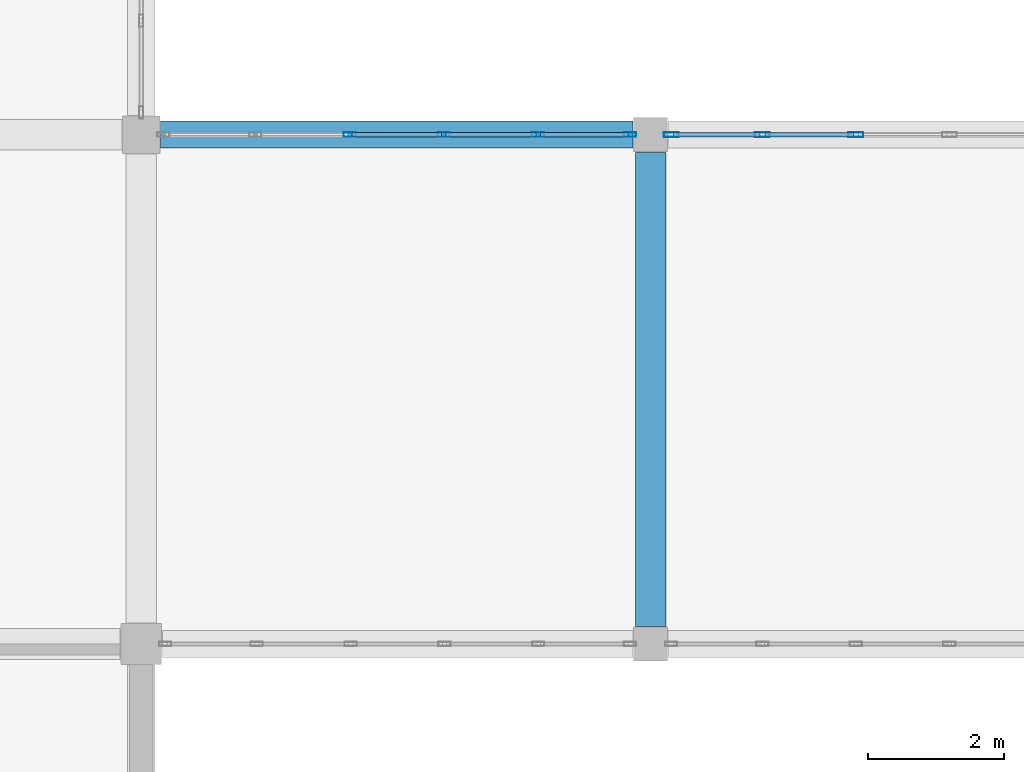
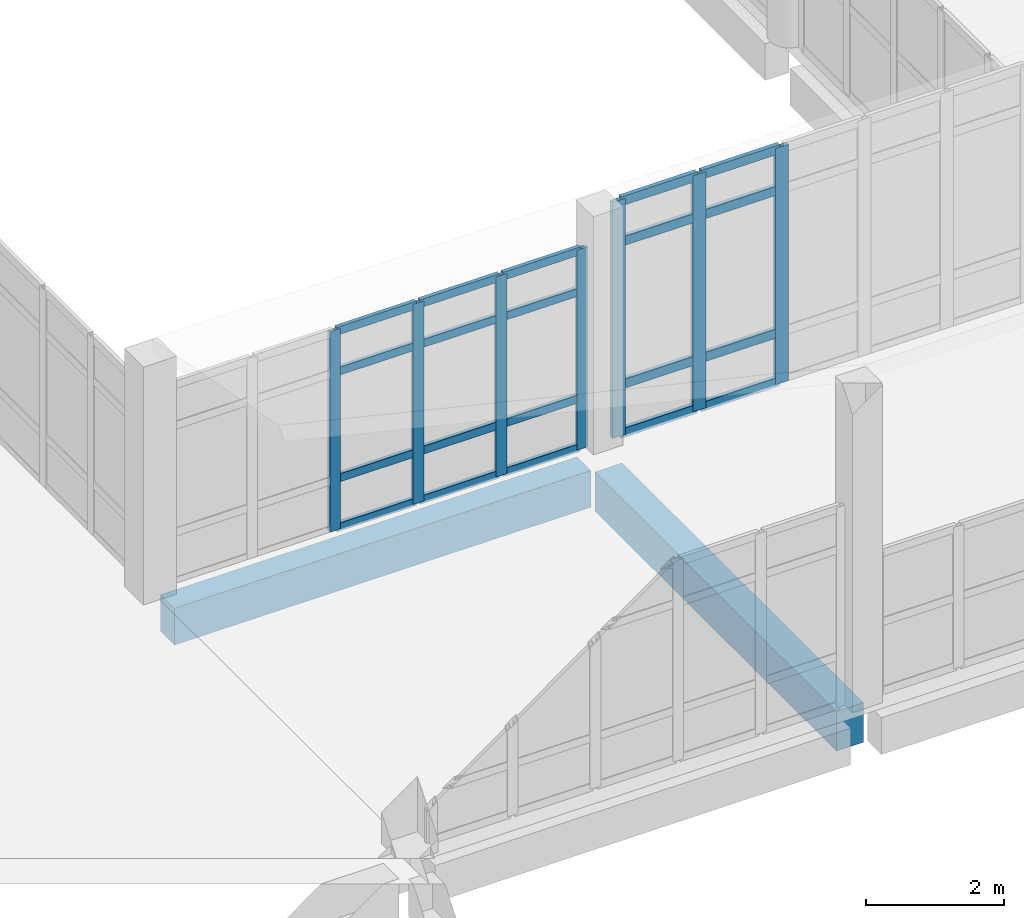
# One storey, part 50 of 164: 27 members, 2 beams, 2 elements without a shape of their own.
"""IFC4 building model written with IfcOpenShell, lengths in metres."""

from ifc_helpers import new_model, si_unit, direction, frame, origin, origin_2d, place, context, subcontext, project, spatial, rectangle, hollow_rectangle, extrude, material, layer, layer_set, material_profile, profile_set, type_object, element, aggregate, save


model = new_model("IFC4")

# Units and contexts
model_context = context("Model", 3, precision=1e-05, world=origin(), true_north=direction((0.0, 1.0)))
body_context = subcontext(model_context, "Body", "Model", "MODEL_VIEW")
ifc_project = project(units=[si_unit("LENGTHUNIT", "METRE"), si_unit("AREAUNIT", "SQUARE_METRE"), si_unit("VOLUMEUNIT", "CUBIC_METRE"), si_unit("PLANEANGLEUNIT", "RADIAN"), si_unit("MASSUNIT", "GRAM", prefix="KILO")], contexts=[model_context])

# Site, building, storey
site_placement = place(None, origin())
site = spatial("IfcSite", under=ifc_project, at=site_placement, CompositionType="ELEMENT")
building_placement = place(site_placement, origin())
building = spatial("IfcBuilding", under=site, at=building_placement, Name="Mawjan Specialist Oncology Clinic", CompositionType="ELEMENT")
storey_placement = place(building_placement, frame((0.0, 0.0, 5.0)))
storey = spatial("IfcBuildingStorey", under=building, at=storey_placement, Name="L01", CompositionType="ELEMENT", Elevation=5.0)

# Beam
ifc_material_1 = material(Name="Concrete C40/50", Category="concrete")
ifc_material_profile_1 = material_profile(ifc_material_1, rectangle(XDim=0.449951171875, YDim=0.699951171875, at=origin_2d()), Name="RC BM 450x700", Category="concrete")
ifc_profile_set_1 = profile_set([ifc_material_profile_1], Name="Concrete C40/50")
beam_type_1 = type_object("IfcBeamType", Name="BM-450x700", PredefinedType="BEAM", material=ifc_profile_set_1)
beam_1_placement = place(storey_placement, frame((52.5, 46.06005859375, -0.64990234375), z_axis=(0.0, 1.0, 0.0), x_axis=(-1.0, 0.0, 0.0)))
element("IfcBeam", 1, at=beam_1_placement, inside=storey, type_object=beam_type_1, Name="L01 Collector Beam BM-L01-0483", PredefinedType="BEAM", context=body_context, shape_type="SweptSolid", body=[
    extrude(rectangle(XDim=0.449951171875, YDim=0.699951171875, at=origin_2d()), origin(), (0.0, 0.0, 1.0), 6.97998046875),
])

# Curtain wall, members
ifc_material_2 = material(Name="Unitised spectrally selective aluminium curtain wall", Category="aluminium")
ifc_layer_1 = layer(ifc_material_2, 0.179931640625, Name="Unitised spectrally selective aluminium curtain wall", Category="aluminium")
ifc_layer_set_1 = layer_set([ifc_layer_1], Name="Unitised spectrally selective aluminium curtain wall")
curtain_wall_type_1 = type_object("IfcCurtainWallType", Name="CW-53", PredefinedType="NOTDEFINED", material=ifc_layer_set_1)
curtain_wall_1_placement = place(storey_placement, origin())
curtain_wall_1 = element("IfcCurtainWall", 2, at=curtain_wall_1_placement, inside=storey, type_object=curtain_wall_type_1, Name="L01 Unitised Curtain Wall CW-L01-098", PredefinedType="NOTDEFINED")
ifc_material_3 = material(Name="Thermally broken aluminium 6063-T6", Category="aluminium")
ifc_material_profile_2 = material_profile(ifc_material_3, hollow_rectangle(XDim=0.06494140625, YDim=0.179931640625, WallThickness=0.00390625, at=origin_2d()), Name="ALU MULLION 180x65x4", Category="aluminium")
ifc_profile_set_2 = profile_set([ifc_material_profile_2], Name="Thermally broken aluminium 6063-T6")
member_type_1 = type_object("IfcMemberType", Name="CW-M180", PredefinedType="MULLION", material=ifc_profile_set_2)
member_1_placement = place(storey_placement, frame((48.069091796875, 53.300048828125, 0.0), z_axis=(0.0, 0.0, 1.0), x_axis=(0.0, 1.0, 0.0)))
member_1 = element("IfcMember", 3, at=member_1_placement, type_object=member_type_1, Name="CW-53 mullion 3", PredefinedType="MULLION", context=body_context, shape_type="SweptSolid", body=[
    extrude(hollow_rectangle(XDim=0.06494140625, YDim=0.179931640625, WallThickness=0.00390625, at=origin_2d()), origin(), (0.0, 0.0, 1.0), 3.534912109375),
])
member_2_placement = place(storey_placement, frame((49.4560546875, 53.300048828125, 0.0), z_axis=(0.0, 0.0, 1.0), x_axis=(0.0, 1.0, 0.0)))
member_2 = element("IfcMember", 4, at=member_2_placement, type_object=member_type_1, Name="CW-53 mullion 4", PredefinedType="MULLION", context=body_context, shape_type="SweptSolid", body=[
    extrude(hollow_rectangle(XDim=0.06494140625, YDim=0.179931640625, WallThickness=0.00390625, at=origin_2d()), origin(), (0.0, 0.0, 1.0), 3.534912109375),
])
member_3_placement = place(storey_placement, frame((50.843017578125, 53.300048828125, 0.0), z_axis=(0.0, 0.0, 1.0), x_axis=(0.0, 1.0, 0.0)))
member_3 = element("IfcMember", 5, at=member_3_placement, type_object=member_type_1, Name="CW-53 mullion 5", PredefinedType="MULLION", context=body_context, shape_type="SweptSolid", body=[
    extrude(hollow_rectangle(XDim=0.06494140625, YDim=0.179931640625, WallThickness=0.00390625, at=origin_2d()), origin(), (0.0, 0.0, 1.0), 3.534912109375),
])
member_4_placement = place(storey_placement, frame((52.197509765625, 53.300048828125, 0.0), z_axis=(0.0, 0.0, 1.0), x_axis=(0.0, 1.0, 0.0)))
member_4 = element("IfcMember", 6, at=member_4_placement, type_object=member_type_1, Name="CW-53 mullion 6", PredefinedType="MULLION", context=body_context, shape_type="SweptSolid", body=[
    extrude(hollow_rectangle(XDim=0.06494140625, YDim=0.179931640625, WallThickness=0.00390625, at=origin_2d()), origin(), (0.0, 0.0, 1.0), 3.534912109375),
])

ifc_material_4 = material(Name="Unitised spectrally selective aluminium curtain wall", Category="aluminium")
ifc_layer_2 = layer(ifc_material_4, 0.179931640625, Name="Unitised spectrally selective aluminium curtain wall", Category="aluminium")
ifc_layer_set_2 = layer_set([ifc_layer_2], Name="Unitised spectrally selective aluminium curtain wall")
curtain_wall_type_2 = type_object("IfcCurtainWallType", Name="CW-54", PredefinedType="NOTDEFINED", material=ifc_layer_set_2)
curtain_wall_2_placement = place(storey_placement, origin())
curtain_wall_2 = element("IfcCurtainWall", 7, at=curtain_wall_2_placement, inside=storey, type_object=curtain_wall_type_2, Name="L01 Unitised Curtain Wall CW-L01-099", PredefinedType="NOTDEFINED")
ifc_material_5 = material(Name="Thermally broken aluminium 6063-T6", Category="aluminium")
ifc_material_profile_3 = material_profile(ifc_material_5, hollow_rectangle(XDim=0.070068359375, YDim=0.219970703125, WallThickness=0.00390625, at=origin_2d()), Name="ALU MULLION 220x70x4", Category="aluminium")
ifc_profile_set_3 = profile_set([ifc_material_profile_3], Name="Thermally broken aluminium 6063-T6")
member_type_2 = type_object("IfcMemberType", Name="CW-M220", PredefinedType="MULLION", material=ifc_profile_set_3)
member_5_placement = place(storey_placement, frame((52.804931640625, 53.300048828125, 0.0), z_axis=(0.0, 0.0, 1.0), x_axis=(0.0, 1.0, 0.0)))
member_5 = element("IfcMember", 8, at=member_5_placement, type_object=member_type_2, Name="CW-54 mullion 1", PredefinedType="MULLION", context=body_context, shape_type="SweptSolid", body=[
    extrude(hollow_rectangle(XDim=0.070068359375, YDim=0.219970703125, WallThickness=0.00390625, at=origin_2d()), origin(), (0.0, 0.0, 1.0), 4.169921875),
])
member_6_placement = place(storey_placement, frame((54.14697265625, 53.300048828125, 0.0), z_axis=(0.0, 0.0, 1.0), x_axis=(0.0, 1.0, 0.0)))
member_6 = element("IfcMember", 9, at=member_6_placement, type_object=member_type_2, Name="CW-54 mullion 2", PredefinedType="MULLION", context=body_context, shape_type="SweptSolid", body=[
    extrude(hollow_rectangle(XDim=0.070068359375, YDim=0.219970703125, WallThickness=0.00390625, at=origin_2d()), origin(), (0.0, 0.0, 1.0), 4.169921875),
])
member_7_placement = place(storey_placement, frame((55.52392578125, 53.300048828125, 0.0), z_axis=(0.0, 0.0, 1.0), x_axis=(0.0, 1.0, 0.0)))
member_7 = element("IfcMember", 10, at=member_7_placement, type_object=member_type_2, Name="CW-54 mullion 3", PredefinedType="MULLION", context=body_context, shape_type="SweptSolid", body=[
    extrude(hollow_rectangle(XDim=0.070068359375, YDim=0.219970703125, WallThickness=0.00390625, at=origin_2d()), origin(), (0.0, 0.0, 1.0), 4.169921875),
])

# Member
ifc_material_6 = material(Name="Thermally broken aluminium 6063-T6", Category="aluminium")
ifc_material_profile_4 = material_profile(ifc_material_6, hollow_rectangle(XDim=0.06494140625, YDim=0.139892578125, WallThickness=0.00390625, at=origin_2d()), Name="ALU TRANSOM 140x65x4", Category="aluminium")
ifc_profile_set_4 = profile_set([ifc_material_profile_4], Name="Thermally broken aluminium 6063-T6")
member_type_3 = type_object("IfcMemberType", Name="CW-T140", PredefinedType="USERDEFINED", material=ifc_profile_set_4)
member_8_placement = place(storey_placement, frame((48.1015625, 53.300048828125, 0.032470703125), z_axis=(1.0, 0.0, 0.0), x_axis=(0.0, 1.0, 0.0)))
member_8 = element("IfcMember", 11, at=member_8_placement, type_object=member_type_3, Name="CW-53 transom 3.1", ObjectType="TRANSOM", PredefinedType="USERDEFINED", context=body_context, shape_type="SweptSolid", body=[
    extrude(hollow_rectangle(XDim=0.06494140625, YDim=0.139892578125, WallThickness=0.00390625, at=origin_2d()), origin(), (0.0, 0.0, 1.0), 1.322021484375),
])

member_9_placement = place(storey_placement, frame((48.1015625, 53.300048828125, 0.89990234375), z_axis=(1.0, 0.0, 0.0), x_axis=(0.0, 1.0, 0.0)))
member_9 = element("IfcMember", 12, at=member_9_placement, type_object=member_type_3, Name="CW-53 transom 3.2", ObjectType="TRANSOM", PredefinedType="USERDEFINED", context=body_context, shape_type="SweptSolid", body=[
    extrude(hollow_rectangle(XDim=0.06494140625, YDim=0.139892578125, WallThickness=0.00390625, at=origin_2d()), origin(), (0.0, 0.0, 1.0), 1.322021484375),
])

member_10_placement = place(storey_placement, frame((48.1015625, 53.300048828125, 2.784912109375), z_axis=(1.0, 0.0, 0.0), x_axis=(0.0, 1.0, 0.0)))
member_10 = element("IfcMember", 13, at=member_10_placement, type_object=member_type_3, Name="CW-53 transom 3.3", ObjectType="TRANSOM", PredefinedType="USERDEFINED", context=body_context, shape_type="SweptSolid", body=[
    extrude(hollow_rectangle(XDim=0.06494140625, YDim=0.139892578125, WallThickness=0.00390625, at=origin_2d()), origin(), (0.0, 0.0, 1.0), 1.322021484375),
])

member_11_placement = place(storey_placement, frame((48.1015625, 53.300048828125, 3.50244140625), z_axis=(1.0, 0.0, 0.0), x_axis=(0.0, 1.0, 0.0)))
member_11 = element("IfcMember", 14, at=member_11_placement, type_object=member_type_3, Name="CW-53 transom 3.4", ObjectType="TRANSOM", PredefinedType="USERDEFINED", context=body_context, shape_type="SweptSolid", body=[
    extrude(hollow_rectangle(XDim=0.06494140625, YDim=0.139892578125, WallThickness=0.00390625, at=origin_2d()), origin(), (0.0, 0.0, 1.0), 1.322021484375),
])

member_12_placement = place(storey_placement, frame((49.488525390625, 53.300048828125, 0.032470703125), z_axis=(1.0, 0.0, 0.0), x_axis=(0.0, 1.0, 0.0)))
member_12 = element("IfcMember", 15, at=member_12_placement, type_object=member_type_3, Name="CW-53 transom 4.1", ObjectType="TRANSOM", PredefinedType="USERDEFINED", context=body_context, shape_type="SweptSolid", body=[
    extrude(hollow_rectangle(XDim=0.06494140625, YDim=0.139892578125, WallThickness=0.00390625, at=origin_2d()), origin(), (0.0, 0.0, 1.0), 1.322021484375),
])

member_13_placement = place(storey_placement, frame((49.488525390625, 53.300048828125, 0.89990234375), z_axis=(1.0, 0.0, 0.0), x_axis=(0.0, 1.0, 0.0)))
member_13 = element("IfcMember", 16, at=member_13_placement, type_object=member_type_3, Name="CW-53 transom 4.2", ObjectType="TRANSOM", PredefinedType="USERDEFINED", context=body_context, shape_type="SweptSolid", body=[
    extrude(hollow_rectangle(XDim=0.06494140625, YDim=0.139892578125, WallThickness=0.00390625, at=origin_2d()), origin(), (0.0, 0.0, 1.0), 1.322021484375),
])

member_14_placement = place(storey_placement, frame((49.488525390625, 53.300048828125, 2.784912109375), z_axis=(1.0, 0.0, 0.0), x_axis=(0.0, 1.0, 0.0)))
member_14 = element("IfcMember", 17, at=member_14_placement, type_object=member_type_3, Name="CW-53 transom 4.3", ObjectType="TRANSOM", PredefinedType="USERDEFINED", context=body_context, shape_type="SweptSolid", body=[
    extrude(hollow_rectangle(XDim=0.06494140625, YDim=0.139892578125, WallThickness=0.00390625, at=origin_2d()), origin(), (0.0, 0.0, 1.0), 1.322021484375),
])

member_15_placement = place(storey_placement, frame((49.488525390625, 53.300048828125, 3.50244140625), z_axis=(1.0, 0.0, 0.0), x_axis=(0.0, 1.0, 0.0)))
member_15 = element("IfcMember", 18, at=member_15_placement, type_object=member_type_3, Name="CW-53 transom 4.4", ObjectType="TRANSOM", PredefinedType="USERDEFINED", context=body_context, shape_type="SweptSolid", body=[
    extrude(hollow_rectangle(XDim=0.06494140625, YDim=0.139892578125, WallThickness=0.00390625, at=origin_2d()), origin(), (0.0, 0.0, 1.0), 1.322021484375),
])

member_16_placement = place(storey_placement, frame((50.87548828125, 53.300048828125, 0.032470703125), z_axis=(1.0, 0.0, 0.0), x_axis=(0.0, 1.0, 0.0)))
member_16 = element("IfcMember", 19, at=member_16_placement, type_object=member_type_3, Name="CW-53 transom 5.1", ObjectType="TRANSOM", PredefinedType="USERDEFINED", context=body_context, shape_type="SweptSolid", body=[
    extrude(hollow_rectangle(XDim=0.06494140625, YDim=0.139892578125, WallThickness=0.00390625, at=origin_2d()), origin(), (0.0, 0.0, 1.0), 1.28955078125),
])

member_17_placement = place(storey_placement, frame((50.87548828125, 53.300048828125, 0.89990234375), z_axis=(1.0, 0.0, 0.0), x_axis=(0.0, 1.0, 0.0)))
member_17 = element("IfcMember", 20, at=member_17_placement, type_object=member_type_3, Name="CW-53 transom 5.2", ObjectType="TRANSOM", PredefinedType="USERDEFINED", context=body_context, shape_type="SweptSolid", body=[
    extrude(hollow_rectangle(XDim=0.06494140625, YDim=0.139892578125, WallThickness=0.00390625, at=origin_2d()), origin(), (0.0, 0.0, 1.0), 1.28955078125),
])

member_18_placement = place(storey_placement, frame((50.87548828125, 53.300048828125, 2.784912109375), z_axis=(1.0, 0.0, 0.0), x_axis=(0.0, 1.0, 0.0)))
member_18 = element("IfcMember", 21, at=member_18_placement, type_object=member_type_3, Name="CW-53 transom 5.3", ObjectType="TRANSOM", PredefinedType="USERDEFINED", context=body_context, shape_type="SweptSolid", body=[
    extrude(hollow_rectangle(XDim=0.06494140625, YDim=0.139892578125, WallThickness=0.00390625, at=origin_2d()), origin(), (0.0, 0.0, 1.0), 1.28955078125),
])

member_19_placement = place(storey_placement, frame((50.87548828125, 53.300048828125, 3.50244140625), z_axis=(1.0, 0.0, 0.0), x_axis=(0.0, 1.0, 0.0)))
member_19 = element("IfcMember", 22, at=member_19_placement, type_object=member_type_3, Name="CW-53 transom 5.4", ObjectType="TRANSOM", PredefinedType="USERDEFINED", context=body_context, shape_type="SweptSolid", body=[
    extrude(hollow_rectangle(XDim=0.06494140625, YDim=0.139892578125, WallThickness=0.00390625, at=origin_2d()), origin(), (0.0, 0.0, 1.0), 1.28955078125),
])

aggregate(curtain_wall_1, [member_1, member_2, member_3, member_4, member_8, member_9, member_10, member_11, member_12, member_13, member_14, member_15, member_16, member_17, member_18, member_19])

ifc_material_7 = material(Name="Thermally broken aluminium 6063-T6", Category="aluminium")
ifc_material_profile_5 = material_profile(ifc_material_7, hollow_rectangle(XDim=0.070068359375, YDim=0.159912109375, WallThickness=0.00390625, at=origin_2d()), Name="ALU TRANSOM 160x70x4", Category="aluminium")
ifc_profile_set_5 = profile_set([ifc_material_profile_5], Name="Thermally broken aluminium 6063-T6")
member_type_4 = type_object("IfcMemberType", Name="CW-T160", PredefinedType="USERDEFINED", material=ifc_profile_set_5)
member_20_placement = place(storey_placement, frame((52.840087890625, 53.300048828125, 0.034912109375), z_axis=(1.0, 0.0, 0.0), x_axis=(0.0, 1.0, 0.0)))
member_20 = element("IfcMember", 23, at=member_20_placement, type_object=member_type_4, Name="CW-54 transom 1.1", ObjectType="TRANSOM", PredefinedType="USERDEFINED", context=body_context, shape_type="SweptSolid", body=[
    extrude(hollow_rectangle(XDim=0.070068359375, YDim=0.159912109375, WallThickness=0.00390625, at=origin_2d()), origin(), (0.0, 0.0, 1.0), 1.27197265625),
])

member_21_placement = place(storey_placement, frame((52.840087890625, 53.300048828125, 0.89990234375), z_axis=(1.0, 0.0, 0.0), x_axis=(0.0, 1.0, 0.0)))
member_21 = element("IfcMember", 24, at=member_21_placement, type_object=member_type_4, Name="CW-54 transom 1.2", ObjectType="TRANSOM", PredefinedType="USERDEFINED", context=body_context, shape_type="SweptSolid", body=[
    extrude(hollow_rectangle(XDim=0.070068359375, YDim=0.159912109375, WallThickness=0.00390625, at=origin_2d()), origin(), (0.0, 0.0, 1.0), 1.27197265625),
])

member_22_placement = place(storey_placement, frame((52.840087890625, 53.300048828125, 3.419921875), z_axis=(1.0, 0.0, 0.0), x_axis=(0.0, 1.0, 0.0)))
member_22 = element("IfcMember", 25, at=member_22_placement, type_object=member_type_4, Name="CW-54 transom 1.3", ObjectType="TRANSOM", PredefinedType="USERDEFINED", context=body_context, shape_type="SweptSolid", body=[
    extrude(hollow_rectangle(XDim=0.070068359375, YDim=0.159912109375, WallThickness=0.00390625, at=origin_2d()), origin(), (0.0, 0.0, 1.0), 1.27197265625),
])

member_23_placement = place(storey_placement, frame((52.840087890625, 53.300048828125, 4.135009765625), z_axis=(1.0, 0.0, 0.0), x_axis=(0.0, 1.0, 0.0)))
member_23 = element("IfcMember", 26, at=member_23_placement, type_object=member_type_4, Name="CW-54 transom 1.4", ObjectType="TRANSOM", PredefinedType="USERDEFINED", context=body_context, shape_type="SweptSolid", body=[
    extrude(hollow_rectangle(XDim=0.070068359375, YDim=0.159912109375, WallThickness=0.00390625, at=origin_2d()), origin(), (0.0, 0.0, 1.0), 1.27197265625),
])

member_24_placement = place(storey_placement, frame((54.181884765625, 53.300048828125, 0.034912109375), z_axis=(1.0, 0.0, 0.0), x_axis=(0.0, 1.0, 0.0)))
member_24 = element("IfcMember", 27, at=member_24_placement, type_object=member_type_4, Name="CW-54 transom 2.1", ObjectType="TRANSOM", PredefinedType="USERDEFINED", context=body_context, shape_type="SweptSolid", body=[
    extrude(hollow_rectangle(XDim=0.070068359375, YDim=0.159912109375, WallThickness=0.00390625, at=origin_2d()), origin(), (0.0, 0.0, 1.0), 1.30712890625),
])

member_25_placement = place(storey_placement, frame((54.181884765625, 53.300048828125, 0.89990234375), z_axis=(1.0, 0.0, 0.0), x_axis=(0.0, 1.0, 0.0)))
member_25 = element("IfcMember", 28, at=member_25_placement, type_object=member_type_4, Name="CW-54 transom 2.2", ObjectType="TRANSOM", PredefinedType="USERDEFINED", context=body_context, shape_type="SweptSolid", body=[
    extrude(hollow_rectangle(XDim=0.070068359375, YDim=0.159912109375, WallThickness=0.00390625, at=origin_2d()), origin(), (0.0, 0.0, 1.0), 1.30712890625),
])

member_26_placement = place(storey_placement, frame((54.181884765625, 53.300048828125, 3.419921875), z_axis=(1.0, 0.0, 0.0), x_axis=(0.0, 1.0, 0.0)))
member_26 = element("IfcMember", 29, at=member_26_placement, type_object=member_type_4, Name="CW-54 transom 2.3", ObjectType="TRANSOM", PredefinedType="USERDEFINED", context=body_context, shape_type="SweptSolid", body=[
    extrude(hollow_rectangle(XDim=0.070068359375, YDim=0.159912109375, WallThickness=0.00390625, at=origin_2d()), origin(), (0.0, 0.0, 1.0), 1.30712890625),
])

member_27_placement = place(storey_placement, frame((54.181884765625, 53.300048828125, 4.135009765625), z_axis=(1.0, 0.0, 0.0), x_axis=(0.0, 1.0, 0.0)))
member_27 = element("IfcMember", 30, at=member_27_placement, type_object=member_type_4, Name="CW-54 transom 2.4", ObjectType="TRANSOM", PredefinedType="USERDEFINED", context=body_context, shape_type="SweptSolid", body=[
    extrude(hollow_rectangle(XDim=0.070068359375, YDim=0.159912109375, WallThickness=0.00390625, at=origin_2d()), origin(), (0.0, 0.0, 1.0), 1.30712890625),
])

aggregate(curtain_wall_2, [member_5, member_6, member_7, member_20, member_21, member_22, member_23, member_24, member_25, member_26, member_27])

# Beam
ifc_material_8 = material(Name="Concrete C45/55", Category="concrete")
ifc_material_profile_6 = material_profile(ifc_material_8, rectangle(XDim=0.39990234375, YDim=0.64990234375, at=origin_2d()), Name="RC BM 400x650", Category="concrete")
ifc_profile_set_6 = profile_set([ifc_material_profile_6], Name="Concrete C45/55")
beam_type_2 = type_object("IfcBeamType", Name="SP-400x650", PredefinedType="SPANDREL", material=ifc_profile_set_6)
beam_2_placement = place(storey_placement, frame((45.284912109375, 53.300048828125, -0.625), z_axis=(1.0, 0.0, 0.0), x_axis=(0.0, 1.0, 0.0)))
element("IfcBeam", 31, at=beam_2_placement, inside=storey, type_object=beam_type_2, Name="L01 Spandrel Beam BM-L01-0278", PredefinedType="SPANDREL", context=body_context, shape_type="SweptSolid", body=[
    extrude(rectangle(XDim=0.39990234375, YDim=0.64990234375, at=origin_2d()), origin(), (0.0, 0.0, 1.0), 6.955078125),
])

save(model, "model.ifc")
